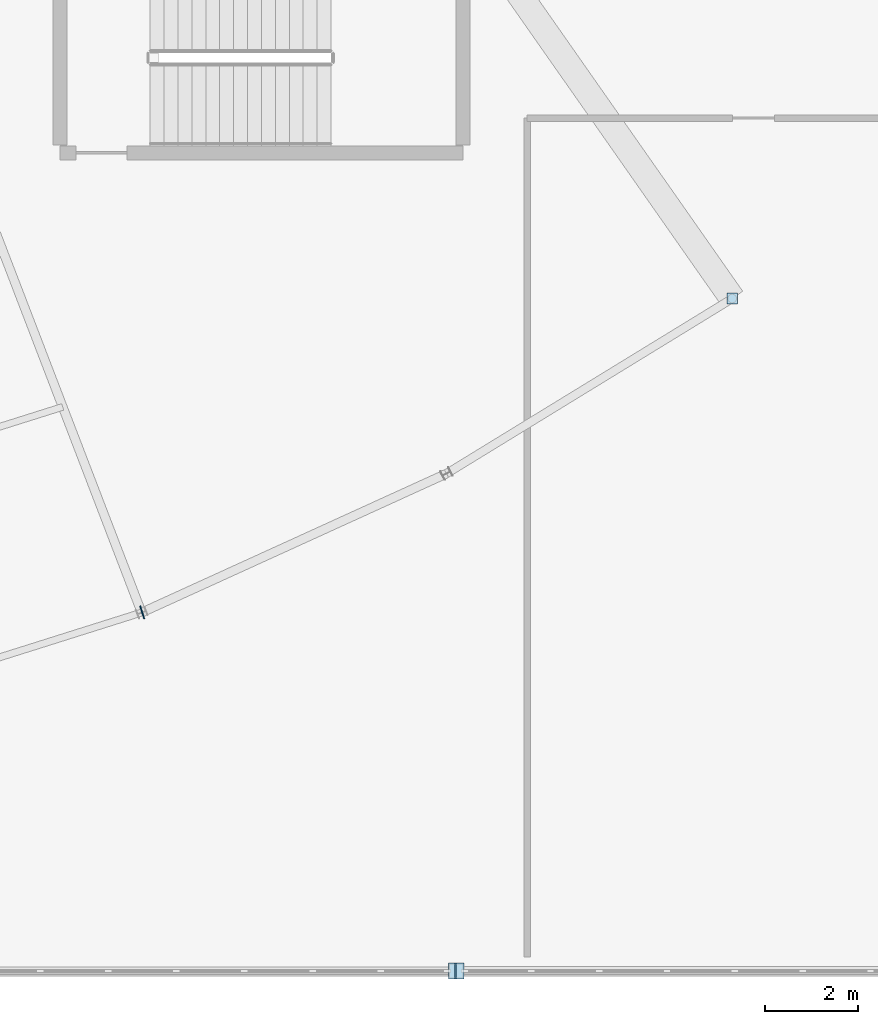
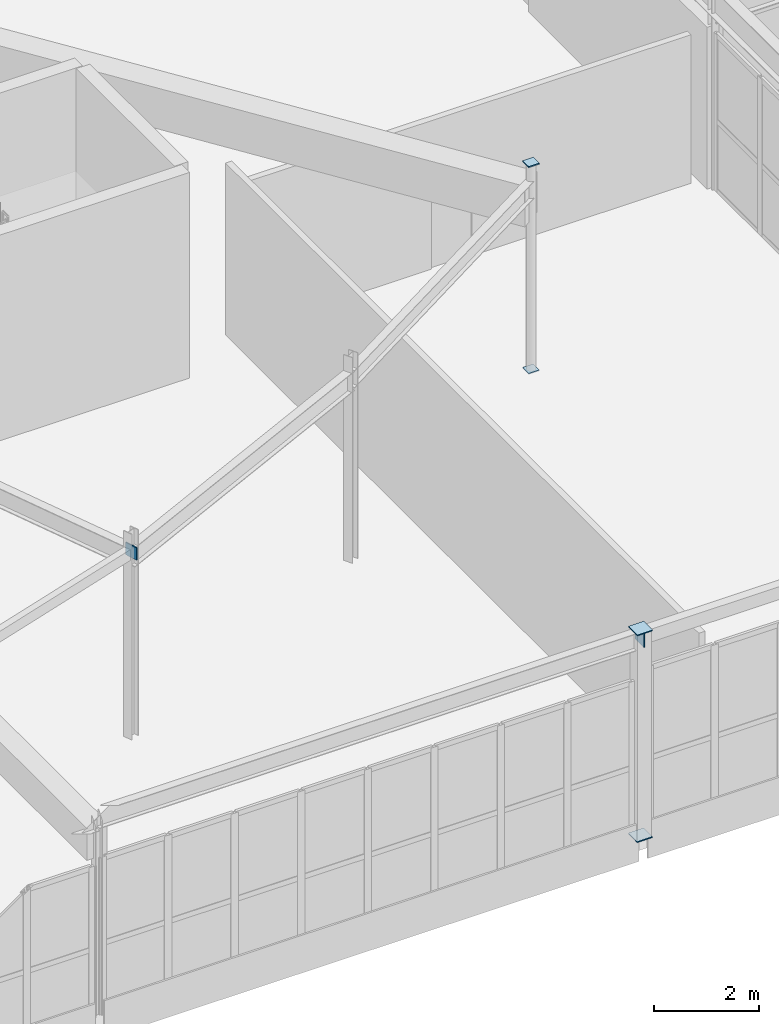
# One storey, part 133 of 186: 6 plates.
"""IFC4 building model written with IfcOpenShell, lengths in metres."""

from ifc_helpers import new_model, si_unit, direction, frame, origin, origin_2d, place, context, subcontext, project, spatial, rectangle, extrude, material, layer, layer_set, type_object, element, save


model = new_model("IFC4")

# Units and contexts
model_context = context("Model", 3, precision=1e-05, world=origin(), true_north=direction((0.0, 1.0)))
body_context = subcontext(model_context, "Body", "Model", "MODEL_VIEW")
ifc_project = project(units=[si_unit("LENGTHUNIT", "METRE"), si_unit("AREAUNIT", "SQUARE_METRE"), si_unit("VOLUMEUNIT", "CUBIC_METRE"), si_unit("PLANEANGLEUNIT", "RADIAN"), si_unit("MASSUNIT", "GRAM", prefix="KILO")], contexts=[model_context])

# Site, building, storey
site_placement = place(None, origin())
site = spatial("IfcSite", under=ifc_project, at=site_placement, CompositionType="ELEMENT")
building_placement = place(site_placement, origin())
building = spatial("IfcBuilding", under=site, at=building_placement, Name="Tarnwether General Hospital", CompositionType="ELEMENT")
storey_placement = place(building_placement, frame((0.0, 0.0, 9.60009765625)))
storey = spatial("IfcBuildingStorey", under=building, at=storey_placement, Name="L02", CompositionType="ELEMENT", Elevation=9.60009765625)

# Plates
ifc_material = material(Name="Steel Grade 350 (350 MPa)", Category="steel")
ifc_layer = layer(ifc_material, 0.02490234375)
ifc_layer_set = layer_set([ifc_layer], Name="Steel Grade 350 (350 MPa)")
plate_type = type_object("IfcPlateType", Name="PT-GUS2", PredefinedType="USERDEFINED", material=ifc_layer_set)
for number, where, z_axis, x_axis, name in (
    (1, (120.0, 0.0, -0.025146484375), (0.0, 0.0, 1.0), (1.0, 0.0, 0.0), "Hollow Section Welded End Cap Plate 0215"),
    (2, (120.0, 0.0, 4.800048828125), (0.0, 0.0, 1.0), (1.0, 0.0, 0.0), "Hollow Section Welded End Cap Plate 0216"),
):
    element("IfcPlate", number, at=place(storey_placement, frame(where, z_axis=z_axis, x_axis=x_axis)), inside=storey, type_object=plate_type, Name=name, ObjectType="GUSSET", PredefinedType="USERDEFINED", context=body_context, shape_type="SweptSolid", body=[
        extrude(rectangle(XDim=0.340087890625, YDim=0.340087890625, at=origin_2d()), origin(), (0.0, 0.0, 1.0), 0.02490234375),
    ])
for number, where, z_axis, x_axis, name in (
    (3, (125.9560546875, 14.506103515625, -0.025146484375), (0.0, 0.0, 1.0), (1.0, 0.0, 0.0), "Hollow Section Welded End Cap Plate 0741"),
    (4, (125.9560546875, 14.506103515625, 4.800048828125), (0.0, 0.0, 1.0), (1.0, 0.0, 0.0), "Hollow Section Welded End Cap Plate 0742"),
):
    element("IfcPlate", number, at=place(storey_placement, frame(where, z_axis=z_axis, x_axis=x_axis)), inside=storey, type_object=plate_type, Name=name, ObjectType="GUSSET", PredefinedType="USERDEFINED", context=body_context, shape_type="SweptSolid", body=[
        extrude(rectangle(XDim=0.23388671875, YDim=0.23388671875, at=origin_2d()), origin(), (0.0, 0.0, 1.0), 0.02490234375),
    ])
plate_1_placement = place(storey_placement, frame((119.987548828125, 0.0, 4.47998046875), z_axis=(0.0, 0.0, 1.0), x_axis=(1.0, 0.0, 0.0)))
element("IfcPlate", 5, at=plate_1_placement, inside=storey, type_object=plate_type, Name="Hollow Section Welded End Cap Plate 0961", ObjectType="GUSSET", PredefinedType="USERDEFINED", context=body_context, shape_type="SweptSolid", body=[
    extrude(rectangle(XDim=0.02490234375, YDim=0.340087890625, at=origin_2d()), origin(), (0.0, 0.0, 1.0), 0.340087890625),
])
plate_2_placement = place(storey_placement, frame((113.226806640625, 7.73583984375, 4.159912109375), z_axis=(0.0, 0.0, 1.0), x_axis=(0.953690705585, 0.300789025864, 0.0)))
element("IfcPlate", 6, at=plate_2_placement, inside=storey, type_object=plate_type, Name="Hollow Section Welded End Cap Plate 1104", ObjectType="GUSSET", PredefinedType="USERDEFINED", context=body_context, shape_type="SweptSolid", body=[
    extrude(rectangle(XDim=0.02490234375, YDim=0.2900390625, at=origin_2d()), origin(), (0.0, 0.0, 1.0), 0.2900390625),
])

save(model, "model.ifc")
